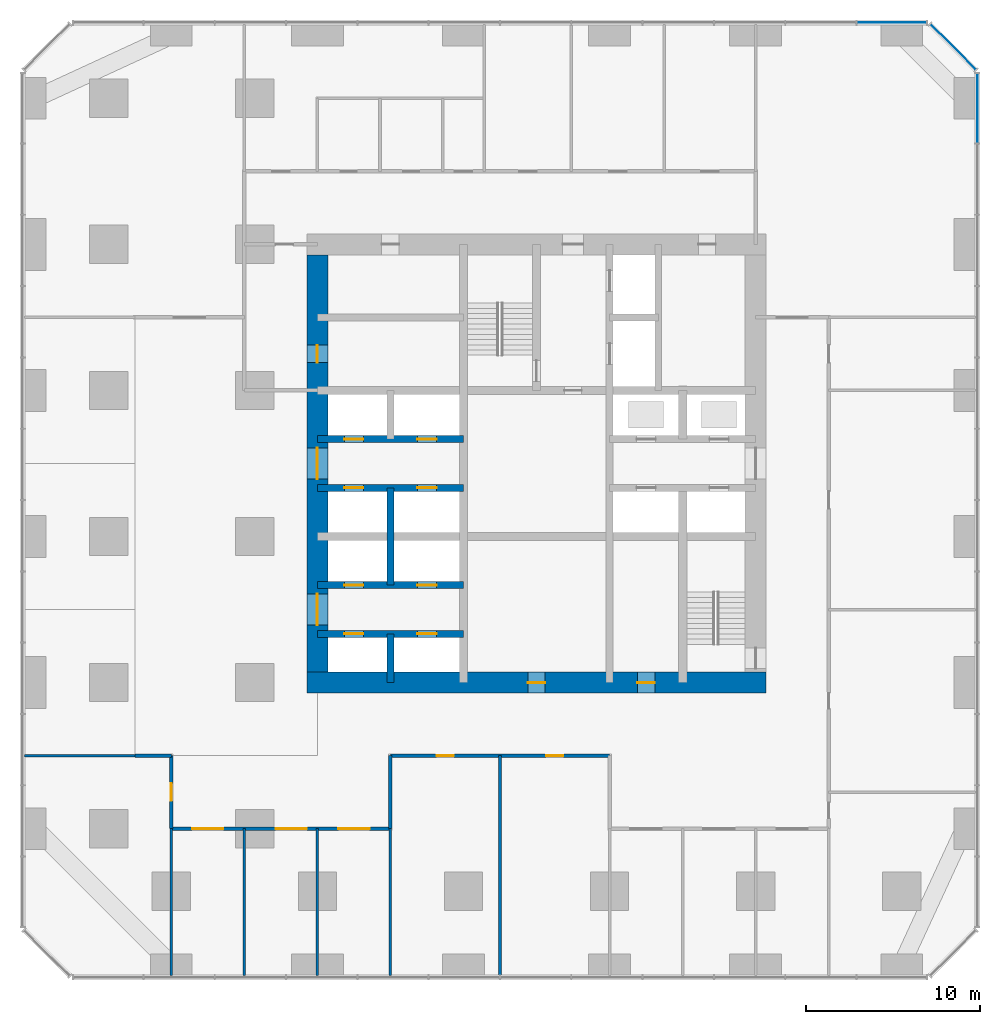
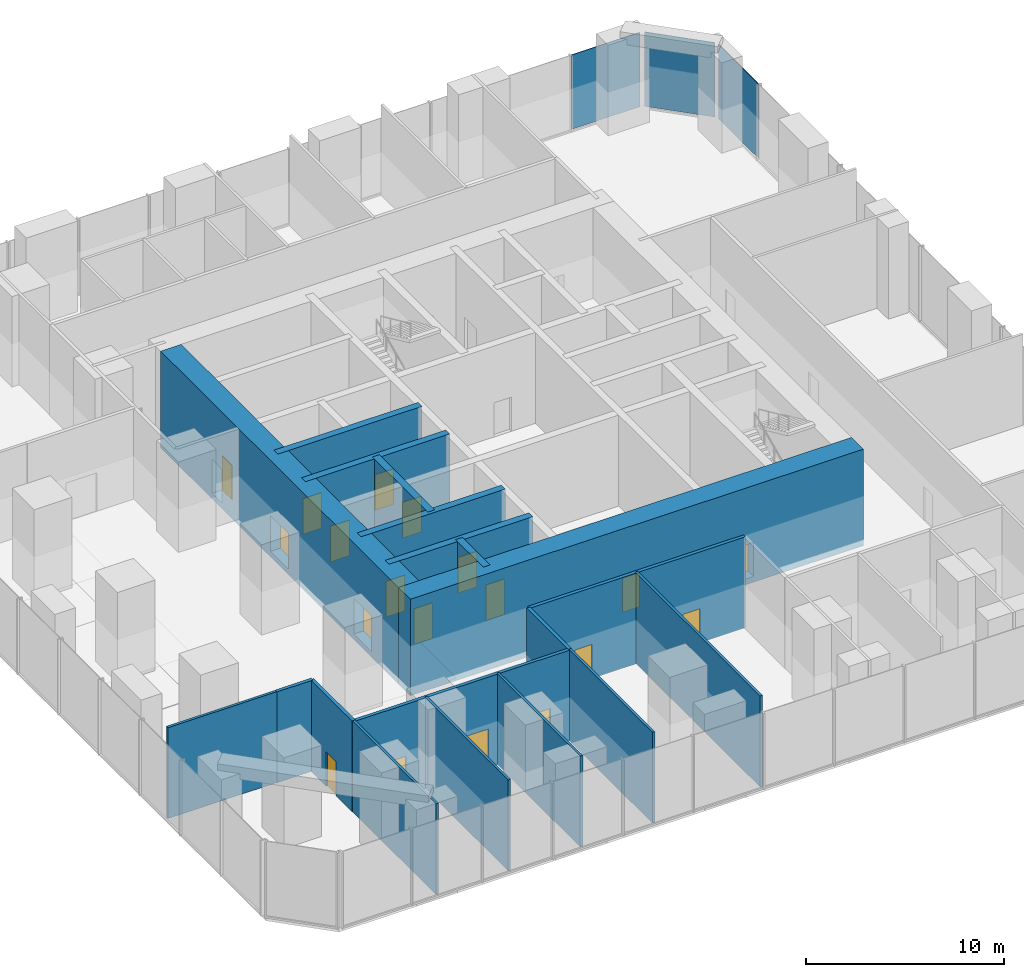
# One storey, part 7 of 13: 19 doors, 19 walls, 3 plates, 19 openings, 3 elements without a shape of their own.
"""IFC4 building model written with IfcOpenShell, lengths in metres."""

from ifc_helpers import new_model, si_unit, direction, frame, frame_2d, origin, origin_2d, place, context, subcontext, project, spatial, rectangle, extrude, material, layer, layer_set, type_object, element, fill, aggregate, save


model = new_model("IFC4")

# Units and contexts
model_context = context("Model", 3, precision=1e-05, world=origin(), true_north=direction((0.0, 1.0)))
body_context = subcontext(model_context, "Body", "Model", "MODEL_VIEW")
ifc_project = project(units=[si_unit("LENGTHUNIT", "METRE"), si_unit("AREAUNIT", "SQUARE_METRE"), si_unit("VOLUMEUNIT", "CUBIC_METRE"), si_unit("PLANEANGLEUNIT", "RADIAN"), si_unit("MASSUNIT", "GRAM", prefix="KILO")], contexts=[model_context])

# Site, building, storey
site_placement = place(None, origin())
site = spatial("IfcSite", under=ifc_project, at=site_placement, CompositionType="ELEMENT")
building_placement = place(site_placement, origin())
building = spatial("IfcBuilding", under=site, at=building_placement, Name="Dunama Terrace Hotel", CompositionType="ELEMENT")
storey_placement = place(building_placement, frame((0.0, 0.0, 147.60009765625)))
storey = spatial("IfcBuildingStorey", under=building, at=storey_placement, Name="L38", CompositionType="ELEMENT", Elevation=147.60009765625)

# Curtain wall, plate
ifc_material_1 = material(Name="Aluminium curtain wall system", Category="aluminium")
curtain_wall_type = type_object("IfcCurtainWallType", Name="Sky lobby glazing CW-F", PredefinedType="NOTDEFINED", material=ifc_material_1)
curtain_wall_1_placement = place(storey_placement, origin())
curtain_wall_1 = element("IfcCurtainWall", 1, at=curtain_wall_1_placement, inside=storey, type_object=curtain_wall_type, Name="Sky lobby glazing CW-F L38", PredefinedType="NOTDEFINED")
ifc_material_2 = material(Name="Laminated glass", Category="glass")
ifc_layer_1 = layer(ifc_material_2, 0.0400390625)
ifc_layer_set_1 = layer_set([ifc_layer_1], Name="CWF clear glass panel")
plate_type_1 = type_object("IfcPlateType", Name="CWF clear glass panel", PredefinedType="CURTAIN_PANEL", material=ifc_layer_set_1)
plate_1_placement = place(storey_placement, frame((54.75, 49.830078125, 0.099853515625), z_axis=(0.0, 0.0, 1.0), x_axis=(0.0, 1.0, 0.0)))
plate_1 = element("IfcPlate", 2, at=plate_1_placement, type_object=plate_type_1, Name="CWF clear glass panel", PredefinedType="CURTAIN_PANEL", context=body_context, shape_type="SweptSolid", body=[
    extrude(rectangle(XDim=3.97998046875, YDim=0.0400390625, at=origin_2d()), origin(), (0.0, 0.0, 1.0), 4.5791015625),
])
aggregate(curtain_wall_1, [plate_1])

curtain_wall_2_placement = place(storey_placement, origin())
curtain_wall_2 = element("IfcCurtainWall", 3, at=curtain_wall_2_placement, inside=storey, type_object=curtain_wall_type, Name="Sky lobby glazing CW-F L38", PredefinedType="NOTDEFINED")
ifc_material_3 = material(Name="Laminated glass", Category="glass")
ifc_layer_2 = layer(ifc_material_3, 0.0400390625)
ifc_layer_set_2 = layer_set([ifc_layer_2], Name="CWF operable glass panel")
plate_type_2 = type_object("IfcPlateType", Name="CWF operable glass panel", PredefinedType="CURTAIN_PANEL", material=ifc_layer_set_2)
plate_2_placement = place(storey_placement, frame((53.35595703125, 53.35595703125, 0.099853515625), z_axis=(0.0, 0.0, 1.0), x_axis=(-0.707106781187, 0.707106781187, 0.0)))
plate_2 = element("IfcPlate", 4, at=plate_2_placement, type_object=plate_type_2, Name="CWF operable glass panel", PredefinedType="CURTAIN_PANEL", context=body_context, shape_type="SweptSolid", body=[
    extrude(rectangle(XDim=3.658447265625, YDim=0.0400390625, at=origin_2d()), origin(), (0.0, 0.0, 1.0), 4.5791015625),
])
aggregate(curtain_wall_2, [plate_2])

curtain_wall_3_placement = place(storey_placement, origin())
curtain_wall_3 = element("IfcCurtainWall", 5, at=curtain_wall_3_placement, inside=storey, type_object=curtain_wall_type, Name="Sky lobby glazing CW-F L38", PredefinedType="NOTDEFINED")
plate_3_placement = place(storey_placement, frame((49.830078125, 54.75, 0.099853515625), z_axis=(0.0, 0.0, 1.0), x_axis=(-1.0, 0.0, 0.0)))
plate_3 = element("IfcPlate", 6, at=plate_3_placement, type_object=plate_type_2, Name="CWF operable glass panel", PredefinedType="CURTAIN_PANEL", context=body_context, shape_type="SweptSolid", body=[
    extrude(rectangle(XDim=3.97998046875, YDim=0.0400390625, at=origin_2d()), origin(), (0.0, 0.0, 1.0), 4.5791015625),
])
aggregate(curtain_wall_3, [plate_3])

# Walls
ifc_material_4 = material(Name="Concrete C50/60", Category="concrete")
ifc_layer_3 = layer(ifc_material_4, 0.39990234375)
ifc_layer_set_3 = layer_set([ifc_layer_3], Name="Core inner wall 400")
wall_type_1 = type_object("IfcWallType", Name="Core inner wall 400", PredefinedType="SHEAR", material=ifc_layer_set_3)
wall_1_placement = place(storey_placement, frame((21.0, 16.800048828125, -0.35009765625), z_axis=(0.0, 0.0, 1.0), x_axis=(0.0, 1.0, 0.0)))
element("IfcWall", 7, at=wall_1_placement, inside=storey, type_object=wall_type_1, Name="Core inner wall 400 L38", PredefinedType="SHEAR", context=body_context, shape_type="SweptSolid", body=[
    extrude(rectangle(XDim=2.800048828125, YDim=0.39990234375, at=frame_2d((1.39990234375, 0.0))), origin(), (0.0, 0.0, 1.0), 5.949951171875),
])
wall_2_placement = place(storey_placement, frame((21.0, 22.39990234375, -0.35009765625), z_axis=(0.0, 0.0, 1.0), x_axis=(0.0, 1.0, 0.0)))
element("IfcWall", 8, at=wall_2_placement, inside=storey, type_object=wall_type_1, Name="Core inner wall 400 L38", PredefinedType="SHEAR", context=body_context, shape_type="SweptSolid", body=[
    extrude(rectangle(XDim=5.60009765625, YDim=0.39990234375, at=frame_2d((2.800048828125, 0.0))), origin(), (0.0, 0.0, 1.0), 5.949951171875),
])

# Wall, openings, doors
wall_3_placement = place(storey_placement, frame((16.800048828125, 19.60009765625, -0.35009765625), z_axis=(0.0, 0.0, 1.0), x_axis=(1.0, 0.0, 0.0)))
wall_3 = element("IfcWall", 9, at=wall_3_placement, inside=storey, type_object=wall_type_1, Name="Core inner wall 400 L38", PredefinedType="SHEAR", context=body_context, shape_type="SweptSolid", body=[
    extrude(rectangle(XDim=8.39990234375, YDim=0.39990234375, at=frame_2d((4.199951171875, 0.0))), origin(), (0.0, 0.0, 1.0), 5.949951171875),
])
opening_1_placement = place(wall_3_placement, frame((1.550048828125, 0.0, 0.35009765625)))
opening_1 = element("IfcOpeningElement", 10, at=opening_1_placement, cuts=wall_3, Name="Opening L38-005", PredefinedType="OPENING", context=body_context, shape_type="SweptSolid", body=[
    extrude(rectangle(XDim=1.10009765625, YDim=2.199951171875, at=frame_2d((0.550048828125, 1.10009765625))), frame((0.0, 0.2099609375, 0.0), z_axis=(0.0, -1.0, 0.0), x_axis=(1.0, 0.0, 0.0)), (0.0, 0.0, 1.0), 0.419921875),
])
opening_2_placement = place(wall_3_placement, frame((5.75, 0.0, 0.35009765625)))
opening_2 = element("IfcOpeningElement", 11, at=opening_2_placement, cuts=wall_3, Name="Opening L38-006", PredefinedType="OPENING", context=body_context, shape_type="SweptSolid", body=[
    extrude(rectangle(XDim=1.10009765625, YDim=2.199951171875, at=frame_2d((0.550048828125, 1.10009765625))), frame((0.0, 0.2099609375, 0.0), z_axis=(0.0, -1.0, 0.0), x_axis=(1.0, 0.0, 0.0)), (0.0, 0.0, 1.0), 0.419921875),
])
ifc_material_5 = material(Name="Stainless steel lift door", Category="steel")
door_type_1 = type_object("IfcDoorType", Name="Lift landing door 1100", OperationType="DOUBLE_DOOR_SLIDING", PredefinedType="DOOR", material=ifc_material_5)
door_1_placement = place(opening_1_placement, origin())
door_1 = element("IfcDoor", 12, at=door_1_placement, inside=storey, type_object=door_type_1, Name="Landing door PS1 L38-005, type LD1", OperationType="DOUBLE_DOOR_SLIDING", OverallHeight=2.199951171875, OverallWidth=1.10009765625, PredefinedType="DOOR", context=body_context, shape_type="SweptSolid", body=[
    extrude(rectangle(XDim=1.10009765625, YDim=2.199951171875, at=frame_2d((0.550048828125, 1.10009765625))), frame((0.0, 0.02490234375, 0.0), z_axis=(0.0, -1.0, 0.0), x_axis=(1.0, 0.0, 0.0)), (0.0, 0.0, 1.0), 0.050048828125),
])
fill(opening_1, door_1)
door_2_placement = place(opening_2_placement, origin())
door_2 = element("IfcDoor", 13, at=door_2_placement, inside=storey, type_object=door_type_1, Name="Landing door PS2 L38-006, type LD1", OperationType="DOUBLE_DOOR_SLIDING", OverallHeight=2.199951171875, OverallWidth=1.10009765625, PredefinedType="DOOR", context=body_context, shape_type="SweptSolid", body=[
    extrude(rectangle(XDim=1.10009765625, YDim=2.199951171875, at=frame_2d((0.550048828125, 1.10009765625))), frame((0.0, 0.02490234375, 0.0), z_axis=(0.0, -1.0, 0.0), x_axis=(1.0, 0.0, 0.0)), (0.0, 0.0, 1.0), 0.050048828125),
])
fill(opening_2, door_2)

wall_4_placement = place(storey_placement, frame((16.800048828125, 22.39990234375, -0.35009765625), z_axis=(0.0, 0.0, 1.0), x_axis=(1.0, 0.0, 0.0)))
wall_4 = element("IfcWall", 14, at=wall_4_placement, inside=storey, type_object=wall_type_1, Name="Core inner wall 400 L38", PredefinedType="SHEAR", context=body_context, shape_type="SweptSolid", body=[
    extrude(rectangle(XDim=8.39990234375, YDim=0.39990234375, at=frame_2d((4.199951171875, 0.0))), origin(), (0.0, 0.0, 1.0), 5.949951171875),
])
opening_3_placement = place(wall_4_placement, frame((1.550048828125, 0.0, 0.35009765625)))
opening_3 = element("IfcOpeningElement", 15, at=opening_3_placement, cuts=wall_4, Name="Opening L38-007", PredefinedType="OPENING", context=body_context, shape_type="SweptSolid", body=[
    extrude(rectangle(XDim=1.10009765625, YDim=2.199951171875, at=frame_2d((0.550048828125, 1.10009765625))), frame((0.0, 0.2099609375, 0.0), z_axis=(0.0, -1.0, 0.0), x_axis=(1.0, 0.0, 0.0)), (0.0, 0.0, 1.0), 0.419921875),
])
opening_4_placement = place(wall_4_placement, frame((5.75, 0.0, 0.35009765625)))
opening_4 = element("IfcOpeningElement", 16, at=opening_4_placement, cuts=wall_4, Name="Opening L38-008", PredefinedType="OPENING", context=body_context, shape_type="SweptSolid", body=[
    extrude(rectangle(XDim=1.10009765625, YDim=2.199951171875, at=frame_2d((0.550048828125, 1.10009765625))), frame((0.0, 0.2099609375, 0.0), z_axis=(0.0, -1.0, 0.0), x_axis=(1.0, 0.0, 0.0)), (0.0, 0.0, 1.0), 0.419921875),
])
door_3_placement = place(opening_3_placement, origin())
door_3 = element("IfcDoor", 17, at=door_3_placement, inside=storey, type_object=door_type_1, Name="Landing door PS3 L38-007, type LD1", OperationType="DOUBLE_DOOR_SLIDING", OverallHeight=2.199951171875, OverallWidth=1.10009765625, PredefinedType="DOOR", context=body_context, shape_type="SweptSolid", body=[
    extrude(rectangle(XDim=1.10009765625, YDim=2.199951171875, at=frame_2d((0.550048828125, 1.10009765625))), frame((0.0, 0.02490234375, 0.0), z_axis=(0.0, -1.0, 0.0), x_axis=(1.0, 0.0, 0.0)), (0.0, 0.0, 1.0), 0.050048828125),
])
fill(opening_3, door_3)
door_4_placement = place(opening_4_placement, origin())
door_4 = element("IfcDoor", 18, at=door_4_placement, inside=storey, type_object=door_type_1, Name="Landing door PS4 L38-008, type LD1", OperationType="DOUBLE_DOOR_SLIDING", OverallHeight=2.199951171875, OverallWidth=1.10009765625, PredefinedType="DOOR", context=body_context, shape_type="SweptSolid", body=[
    extrude(rectangle(XDim=1.10009765625, YDim=2.199951171875, at=frame_2d((0.550048828125, 1.10009765625))), frame((0.0, 0.02490234375, 0.0), z_axis=(0.0, -1.0, 0.0), x_axis=(1.0, 0.0, 0.0)), (0.0, 0.0, 1.0), 0.050048828125),
])
fill(opening_4, door_4)

wall_5_placement = place(storey_placement, frame((16.800048828125, 28.0, -0.35009765625), z_axis=(0.0, 0.0, 1.0), x_axis=(1.0, 0.0, 0.0)))
wall_5 = element("IfcWall", 19, at=wall_5_placement, inside=storey, type_object=wall_type_1, Name="Core inner wall 400 L38", PredefinedType="SHEAR", context=body_context, shape_type="SweptSolid", body=[
    extrude(rectangle(XDim=8.39990234375, YDim=0.39990234375, at=frame_2d((4.199951171875, 0.0))), origin(), (0.0, 0.0, 1.0), 5.949951171875),
])
opening_5_placement = place(wall_5_placement, frame((1.550048828125, 0.0, 0.35009765625)))
opening_5 = element("IfcOpeningElement", 20, at=opening_5_placement, cuts=wall_5, Name="Opening L38-009", PredefinedType="OPENING", context=body_context, shape_type="SweptSolid", body=[
    extrude(rectangle(XDim=1.10009765625, YDim=2.199951171875, at=frame_2d((0.550048828125, 1.10009765625))), frame((0.0, 0.2099609375, 0.0), z_axis=(0.0, -1.0, 0.0), x_axis=(1.0, 0.0, 0.0)), (0.0, 0.0, 1.0), 0.419921875),
])
opening_6_placement = place(wall_5_placement, frame((5.75, 0.0, 0.35009765625)))
opening_6 = element("IfcOpeningElement", 21, at=opening_6_placement, cuts=wall_5, Name="Opening L38-010", PredefinedType="OPENING", context=body_context, shape_type="SweptSolid", body=[
    extrude(rectangle(XDim=1.10009765625, YDim=2.199951171875, at=frame_2d((0.550048828125, 1.10009765625))), frame((0.0, 0.2099609375, 0.0), z_axis=(0.0, -1.0, 0.0), x_axis=(1.0, 0.0, 0.0)), (0.0, 0.0, 1.0), 0.419921875),
])
door_5_placement = place(opening_5_placement, origin())
door_5 = element("IfcDoor", 22, at=door_5_placement, inside=storey, type_object=door_type_1, Name="Landing door PC1 L38-009, type LD1", OperationType="DOUBLE_DOOR_SLIDING", OverallHeight=2.199951171875, OverallWidth=1.10009765625, PredefinedType="DOOR", context=body_context, shape_type="SweptSolid", body=[
    extrude(rectangle(XDim=1.10009765625, YDim=2.199951171875, at=frame_2d((0.550048828125, 1.10009765625))), frame((0.0, 0.02490234375, 0.0), z_axis=(0.0, -1.0, 0.0), x_axis=(1.0, 0.0, 0.0)), (0.0, 0.0, 1.0), 0.050048828125),
])
fill(opening_5, door_5)
door_6_placement = place(opening_6_placement, origin())
door_6 = element("IfcDoor", 23, at=door_6_placement, inside=storey, type_object=door_type_1, Name="Landing door PC2 L38-010, type LD1", OperationType="DOUBLE_DOOR_SLIDING", OverallHeight=2.199951171875, OverallWidth=1.10009765625, PredefinedType="DOOR", context=body_context, shape_type="SweptSolid", body=[
    extrude(rectangle(XDim=1.10009765625, YDim=2.199951171875, at=frame_2d((0.550048828125, 1.10009765625))), frame((0.0, 0.02490234375, 0.0), z_axis=(0.0, -1.0, 0.0), x_axis=(1.0, 0.0, 0.0)), (0.0, 0.0, 1.0), 0.050048828125),
])
fill(opening_6, door_6)

wall_6_placement = place(storey_placement, frame((16.800048828125, 30.800048828125, -0.35009765625), z_axis=(0.0, 0.0, 1.0), x_axis=(1.0, 0.0, 0.0)))
wall_6 = element("IfcWall", 24, at=wall_6_placement, inside=storey, type_object=wall_type_1, Name="Core inner wall 400 L38", PredefinedType="SHEAR", context=body_context, shape_type="SweptSolid", body=[
    extrude(rectangle(XDim=8.39990234375, YDim=0.39990234375, at=frame_2d((4.199951171875, 0.0))), origin(), (0.0, 0.0, 1.0), 5.949951171875),
])
opening_7_placement = place(wall_6_placement, frame((1.550048828125, 0.0, 0.35009765625)))
opening_7 = element("IfcOpeningElement", 25, at=opening_7_placement, cuts=wall_6, Name="Opening L38-011", PredefinedType="OPENING", context=body_context, shape_type="SweptSolid", body=[
    extrude(rectangle(XDim=1.10009765625, YDim=2.199951171875, at=frame_2d((0.550048828125, 1.10009765625))), frame((0.0, 0.2099609375, 0.0), z_axis=(0.0, -1.0, 0.0), x_axis=(1.0, 0.0, 0.0)), (0.0, 0.0, 1.0), 0.419921875),
])
opening_8_placement = place(wall_6_placement, frame((5.75, 0.0, 0.35009765625)))
opening_8 = element("IfcOpeningElement", 26, at=opening_8_placement, cuts=wall_6, Name="Opening L38-012", PredefinedType="OPENING", context=body_context, shape_type="SweptSolid", body=[
    extrude(rectangle(XDim=1.10009765625, YDim=2.199951171875, at=frame_2d((0.550048828125, 1.10009765625))), frame((0.0, 0.2099609375, 0.0), z_axis=(0.0, -1.0, 0.0), x_axis=(1.0, 0.0, 0.0)), (0.0, 0.0, 1.0), 0.419921875),
])
door_7_placement = place(opening_7_placement, origin())
door_7 = element("IfcDoor", 27, at=door_7_placement, inside=storey, type_object=door_type_1, Name="Landing door PC3 L38-011, type LD1", OperationType="DOUBLE_DOOR_SLIDING", OverallHeight=2.199951171875, OverallWidth=1.10009765625, PredefinedType="DOOR", context=body_context, shape_type="SweptSolid", body=[
    extrude(rectangle(XDim=1.10009765625, YDim=2.199951171875, at=frame_2d((0.550048828125, 1.10009765625))), frame((0.0, 0.02490234375, 0.0), z_axis=(0.0, -1.0, 0.0), x_axis=(1.0, 0.0, 0.0)), (0.0, 0.0, 1.0), 0.050048828125),
])
fill(opening_7, door_7)
door_8_placement = place(opening_8_placement, origin())
door_8 = element("IfcDoor", 28, at=door_8_placement, inside=storey, type_object=door_type_1, Name="Landing door PC4 L38-012, type LD1", OperationType="DOUBLE_DOOR_SLIDING", OverallHeight=2.199951171875, OverallWidth=1.10009765625, PredefinedType="DOOR", context=body_context, shape_type="SweptSolid", body=[
    extrude(rectangle(XDim=1.10009765625, YDim=2.199951171875, at=frame_2d((0.550048828125, 1.10009765625))), frame((0.0, 0.02490234375, 0.0), z_axis=(0.0, -1.0, 0.0), x_axis=(1.0, 0.0, 0.0)), (0.0, 0.0, 1.0), 0.050048828125),
])
fill(opening_8, door_8)

ifc_material_6 = material(Name="Concrete C60/75", Category="concrete")
ifc_layer_4 = layer(ifc_material_6, 1.199951171875)
ifc_layer_set_4 = layer_set([ifc_layer_4], Name="Core wall 1200")
wall_type_2 = type_object("IfcWallType", Name="Core wall 1200", PredefinedType="SHEAR", material=ifc_layer_set_4)
wall_7_placement = place(storey_placement, frame((16.199951171875, 16.800048828125, -0.35009765625), z_axis=(0.0, 0.0, 1.0), x_axis=(1.0, 0.0, 0.0)))
wall_7 = element("IfcWall", 29, at=wall_7_placement, inside=storey, type_object=wall_type_2, Name="Core wall south L38", PredefinedType="SHEAR", context=body_context, shape_type="SweptSolid", body=[
    extrude(rectangle(XDim=26.400146484375, YDim=1.199951171875, at=frame_2d((13.2001953125, 0.0))), origin(), (0.0, 0.0, 1.0), 5.949951171875),
])
opening_9_placement = place(wall_7_placement, frame((12.699951171875, 0.0, 0.35009765625)))
opening_9 = element("IfcOpeningElement", 30, at=opening_9_placement, cuts=wall_7, Name="Opening L38-025", PredefinedType="OPENING", context=body_context, shape_type="SweptSolid", body=[
    extrude(rectangle(XDim=1.0, YDim=2.10009765625, at=frame_2d((0.5, 1.050048828125))), frame((0.0, 0.60986328125, 0.0), z_axis=(0.0, -1.0, 0.0), x_axis=(1.0, 0.0, 0.0)), (0.0, 0.0, 1.0), 1.219970703125),
])
opening_10_placement = place(wall_7_placement, frame((19.0, 0.0, 0.35009765625)))
opening_10 = element("IfcOpeningElement", 31, at=opening_10_placement, cuts=wall_7, Name="Opening L38-026", PredefinedType="OPENING", context=body_context, shape_type="SweptSolid", body=[
    extrude(rectangle(XDim=1.0, YDim=2.10009765625, at=frame_2d((0.5, 1.050048828125))), frame((0.0, 0.60986328125, 0.0), z_axis=(0.0, -1.0, 0.0), x_axis=(1.0, 0.0, 0.0)), (0.0, 0.0, 1.0), 1.219970703125),
])
ifc_material_7 = material(Name="Timber door with steel frame", Category="steel")
door_type_2 = type_object("IfcDoorType", Name="Service door 1000", OperationType="SINGLE_SWING_LEFT", PredefinedType="DOOR", material=ifc_material_7)
door_9_placement = place(opening_9_placement, origin())
door_9 = element("IfcDoor", 32, at=door_9_placement, inside=storey, type_object=door_type_2, Name="Door to floor air handling room L38-025, type D7", OperationType="SINGLE_SWING_LEFT", OverallHeight=2.10009765625, OverallWidth=1.0, PredefinedType="DOOR", context=body_context, shape_type="SweptSolid", body=[
    extrude(rectangle(XDim=1.0, YDim=2.10009765625, at=frame_2d((0.5, 1.050048828125))), frame((0.0, 0.02490234375, 0.0), z_axis=(0.0, -1.0, 0.0), x_axis=(1.0, 0.0, 0.0)), (0.0, 0.0, 1.0), 0.050048828125),
])
fill(opening_9, door_9)
door_10_placement = place(opening_10_placement, origin())
door_10 = element("IfcDoor", 33, at=door_10_placement, inside=storey, type_object=door_type_2, Name="Door to water riser room L38-026, type D7", OperationType="SINGLE_SWING_RIGHT", OverallHeight=2.10009765625, OverallWidth=1.0, PredefinedType="DOOR", context=body_context, shape_type="SweptSolid", body=[
    extrude(rectangle(XDim=1.0, YDim=2.10009765625, at=frame_2d((0.5, 1.050048828125))), frame((0.0, 0.02490234375, 0.0), z_axis=(0.0, -1.0, 0.0), x_axis=(1.0, 0.0, 0.0)), (0.0, 0.0, 1.0), 0.050048828125),
])
fill(opening_10, door_10)

wall_8_placement = place(storey_placement, frame((16.800048828125, 41.39990234375, -0.35009765625), z_axis=(0.0, 0.0, 1.0), x_axis=(0.0, -1.0, 0.0)))
wall_8 = element("IfcWall", 34, at=wall_8_placement, inside=storey, type_object=wall_type_2, Name="Core wall west L38", PredefinedType="SHEAR", context=body_context, shape_type="SweptSolid", body=[
    extrude(rectangle(XDim=24.0, YDim=1.199951171875, at=frame_2d((12.0, 0.0))), origin(), (0.0, 0.0, 1.0), 5.949951171875),
])
opening_11_placement = place(wall_8_placement, frame((11.10009765625, 0.0, 0.35009765625)))
opening_11 = element("IfcOpeningElement", 35, at=opening_11_placement, cuts=wall_8, Name="Opening L38-017", PredefinedType="OPENING", context=body_context, shape_type="SweptSolid", body=[
    extrude(rectangle(XDim=1.800048828125, YDim=2.199951171875, at=frame_2d((0.89990234375, 1.10009765625))), frame((0.0, 0.60986328125, 0.0), z_axis=(0.0, -1.0, 0.0), x_axis=(1.0, 0.0, 0.0)), (0.0, 0.0, 1.0), 1.219970703125),
])
opening_12_placement = place(wall_8_placement, frame((19.5, 0.0, 0.35009765625)))
opening_12 = element("IfcOpeningElement", 36, at=opening_12_placement, cuts=wall_8, Name="Opening L38-018", PredefinedType="OPENING", context=body_context, shape_type="SweptSolid", body=[
    extrude(rectangle(XDim=1.800048828125, YDim=2.199951171875, at=frame_2d((0.89990234375, 1.10009765625))), frame((0.0, 0.60986328125, 0.0), z_axis=(0.0, -1.0, 0.0), x_axis=(1.0, 0.0, 0.0)), (0.0, 0.0, 1.0), 1.219970703125),
])
opening_13_placement = place(wall_8_placement, frame((5.199951171875, 0.0, 0.35009765625)))
opening_13 = element("IfcOpeningElement", 37, at=opening_13_placement, cuts=wall_8, Name="Opening L38-019", PredefinedType="OPENING", context=body_context, shape_type="SweptSolid", body=[
    extrude(rectangle(XDim=1.0, YDim=2.10009765625, at=frame_2d((0.5, 1.050048828125))), frame((0.0, 0.60986328125, 0.0), z_axis=(0.0, -1.0, 0.0), x_axis=(1.0, 0.0, 0.0)), (0.0, 0.0, 1.0), 1.219970703125),
])
ifc_material_8 = material(Name="Timber door with steel frame", Category="steel")
door_type_3 = type_object("IfcDoorType", Name="Lift lobby double door 1800", OperationType="DOUBLE_DOOR_DOUBLE_SWING", PredefinedType="DOOR", material=ifc_material_8)
door_11_placement = place(opening_11_placement, origin())
door_11 = element("IfcDoor", 38, at=door_11_placement, inside=storey, type_object=door_type_3, Name="Door to lift lobby L38-017, type D3", OperationType="DOUBLE_DOOR_DOUBLE_SWING", OverallHeight=2.199951171875, OverallWidth=1.800048828125, PredefinedType="DOOR", context=body_context, shape_type="SweptSolid", body=[
    extrude(rectangle(XDim=1.800048828125, YDim=2.199951171875, at=frame_2d((0.89990234375, 1.10009765625))), frame((0.0, 0.02490234375, 0.0), z_axis=(0.0, -1.0, 0.0), x_axis=(1.0, 0.0, 0.0)), (0.0, 0.0, 1.0), 0.050048828125),
])
fill(opening_11, door_11)
door_12_placement = place(opening_12_placement, origin())
door_12 = element("IfcDoor", 39, at=door_12_placement, inside=storey, type_object=door_type_3, Name="Door to lift lobby L38-018, type D3", OperationType="DOUBLE_DOOR_DOUBLE_SWING", OverallHeight=2.199951171875, OverallWidth=1.800048828125, PredefinedType="DOOR", context=body_context, shape_type="SweptSolid", body=[
    extrude(rectangle(XDim=1.800048828125, YDim=2.199951171875, at=frame_2d((0.89990234375, 1.10009765625))), frame((0.0, 0.02490234375, 0.0), z_axis=(0.0, -1.0, 0.0), x_axis=(1.0, 0.0, 0.0)), (0.0, 0.0, 1.0), 0.050048828125),
])
fill(opening_12, door_12)
door_13_placement = place(opening_13_placement, origin())
door_13 = element("IfcDoor", 40, at=door_13_placement, inside=storey, type_object=door_type_2, Name="Door to electrical room L38-019, type D7", OperationType="SINGLE_SWING_RIGHT", OverallHeight=2.10009765625, OverallWidth=1.0, PredefinedType="DOOR", context=body_context, shape_type="SweptSolid", body=[
    extrude(rectangle(XDim=1.0, YDim=2.10009765625, at=frame_2d((0.5, 1.050048828125))), frame((0.0, 0.02490234375, 0.0), z_axis=(0.0, -1.0, 0.0), x_axis=(1.0, 0.0, 0.0)), (0.0, 0.0, 1.0), 0.050048828125),
])
fill(opening_13, door_13)

# Wall, opening, door
ifc_material_9 = material(Name="Concrete blockwork", Category="masonry")
ifc_layer_5 = layer(ifc_material_9, 0.199951171875)
ifc_layer_set_5 = layer_set([ifc_layer_5], Name="Corridor partition 200")
wall_type_3 = type_object("IfcWallType", Name="Corridor partition 200", PredefinedType="PARTITIONING", material=ifc_layer_set_5)
wall_9_placement = place(storey_placement, frame((8.39990234375, 8.39990234375, 0.0), z_axis=(0.0, 0.0, 1.0), x_axis=(0.0, 1.0, 0.0)))
wall_9 = element("IfcWall", 41, at=wall_9_placement, inside=storey, type_object=wall_type_3, Name="Corridor partition 200 L38", PredefinedType="PARTITIONING", context=body_context, shape_type="SweptSolid", body=[
    extrude(rectangle(XDim=4.2001953125, YDim=0.199951171875, at=frame_2d((2.10009765625, 0.0))), origin(), (0.0, 0.0, 1.0), 5.599853515625),
])
opening_14_placement = place(wall_9_placement, frame((1.60009765625, 0.0, 0.0)))
opening_14 = element("IfcOpeningElement", 42, at=opening_14_placement, cuts=wall_9, Name="Opening L38-028", PredefinedType="OPENING", context=body_context, shape_type="SweptSolid", body=[
    extrude(rectangle(XDim=1.0, YDim=2.10009765625, at=frame_2d((0.5, 1.050048828125))), frame((0.0, 0.10986328125, 0.0), z_axis=(0.0, -1.0, 0.0), x_axis=(1.0, 0.0, 0.0)), (0.0, 0.0, 1.0), 0.219970703125),
])
door_14_placement = place(opening_14_placement, origin())
door_14 = element("IfcDoor", 43, at=door_14_placement, inside=storey, type_object=door_type_2, Name="Door to spa manager office L38-028, type D7", OperationType="SINGLE_SWING_LEFT", OverallHeight=2.10009765625, OverallWidth=1.0, PredefinedType="DOOR", context=body_context, shape_type="SweptSolid", body=[
    extrude(rectangle(XDim=1.0, YDim=2.10009765625, at=frame_2d((0.5, 1.050048828125))), frame((0.0, 0.02490234375, 0.0), z_axis=(0.0, -1.0, 0.0), x_axis=(1.0, 0.0, 0.0)), (0.0, 0.0, 1.0), 0.050048828125),
])
fill(opening_14, door_14)

# Wall
wall_10_placement = place(storey_placement, frame((21.0, 8.39990234375, 0.0), z_axis=(0.0, 0.0, 1.0), x_axis=(0.0, 1.0, 0.0)))
element("IfcWall", 44, at=wall_10_placement, inside=storey, type_object=wall_type_3, Name="Corridor partition 200 L38", PredefinedType="PARTITIONING", context=body_context, shape_type="SweptSolid", body=[
    extrude(rectangle(XDim=4.2001953125, YDim=0.199951171875, at=frame_2d((2.10009765625, 0.0))), origin(), (0.0, 0.0, 1.0), 5.599853515625),
])

# Wall, openings, doors
wall_11_placement = place(storey_placement, frame((8.39990234375, 8.39990234375, 0.0), z_axis=(0.0, 0.0, 1.0), x_axis=(1.0, 0.0, 0.0)))
wall_11 = element("IfcWall", 45, at=wall_11_placement, inside=storey, type_object=wall_type_3, Name="Corridor partition 200 L38", PredefinedType="PARTITIONING", context=body_context, shape_type="SweptSolid", body=[
    extrude(rectangle(XDim=12.60009765625, YDim=0.199951171875, at=frame_2d((6.300048828125, 0.0))), origin(), (0.0, 0.0, 1.0), 5.599853515625),
])
opening_15_placement = place(wall_11_placement, frame((1.199951171875, 0.0, 0.0)))
opening_15 = element("IfcOpeningElement", 46, at=opening_15_placement, cuts=wall_11, Name="Opening L38-029", PredefinedType="OPENING", context=body_context, shape_type="SweptSolid", body=[
    extrude(rectangle(XDim=1.800048828125, YDim=2.39990234375, at=frame_2d((0.89990234375, 1.199951171875))), frame((0.0, 0.10986328125, 0.0), z_axis=(0.0, -1.0, 0.0), x_axis=(1.0, 0.0, 0.0)), (0.0, 0.0, 1.0), 0.219970703125),
])
opening_16_placement = place(wall_11_placement, frame((6.0, 0.0, 0.0)))
opening_16 = element("IfcOpeningElement", 47, at=opening_16_placement, cuts=wall_11, Name="Opening L38-030", PredefinedType="OPENING", context=body_context, shape_type="SweptSolid", body=[
    extrude(rectangle(XDim=1.800048828125, YDim=2.39990234375, at=frame_2d((0.89990234375, 1.199951171875))), frame((0.0, 0.10986328125, 0.0), z_axis=(0.0, -1.0, 0.0), x_axis=(1.0, 0.0, 0.0)), (0.0, 0.0, 1.0), 0.219970703125),
])
opening_17_placement = place(wall_11_placement, frame((9.60009765625, 0.0, 0.0)))
opening_17 = element("IfcOpeningElement", 48, at=opening_17_placement, cuts=wall_11, Name="Opening L38-031", PredefinedType="OPENING", context=body_context, shape_type="SweptSolid", body=[
    extrude(rectangle(XDim=1.800048828125, YDim=2.39990234375, at=frame_2d((0.89990234375, 1.199951171875))), frame((0.0, 0.10986328125, 0.0), z_axis=(0.0, -1.0, 0.0), x_axis=(1.0, 0.0, 0.0)), (0.0, 0.0, 1.0), 0.219970703125),
])
ifc_material_10 = material(Name="Aluminium-framed glazed door", Category="aluminium")
door_type_4 = type_object("IfcDoorType", Name="Glazed double door 1800", OperationType="DOUBLE_DOOR_DOUBLE_SWING", PredefinedType="DOOR", material=ifc_material_10)
door_15_placement = place(opening_15_placement, origin())
door_15 = element("IfcDoor", 49, at=door_15_placement, inside=storey, type_object=door_type_4, Name="Door to spa treatment room 1 L38-029, type D8", OperationType="DOUBLE_DOOR_DOUBLE_SWING", OverallHeight=2.39990234375, OverallWidth=1.800048828125, PredefinedType="DOOR", context=body_context, shape_type="SweptSolid", body=[
    extrude(rectangle(XDim=1.800048828125, YDim=2.39990234375, at=frame_2d((0.89990234375, 1.199951171875))), frame((0.0, 0.02490234375, 0.0), z_axis=(0.0, -1.0, 0.0), x_axis=(1.0, 0.0, 0.0)), (0.0, 0.0, 1.0), 0.050048828125),
])
fill(opening_15, door_15)
door_16_placement = place(opening_16_placement, origin())
door_16 = element("IfcDoor", 50, at=door_16_placement, inside=storey, type_object=door_type_4, Name="Door to spa treatment room 2 L38-030, type D8", OperationType="DOUBLE_DOOR_DOUBLE_SWING", OverallHeight=2.39990234375, OverallWidth=1.800048828125, PredefinedType="DOOR", context=body_context, shape_type="SweptSolid", body=[
    extrude(rectangle(XDim=1.800048828125, YDim=2.39990234375, at=frame_2d((0.89990234375, 1.199951171875))), frame((0.0, 0.02490234375, 0.0), z_axis=(0.0, -1.0, 0.0), x_axis=(1.0, 0.0, 0.0)), (0.0, 0.0, 1.0), 0.050048828125),
])
fill(opening_16, door_16)
door_17_placement = place(opening_17_placement, origin())
door_17 = element("IfcDoor", 51, at=door_17_placement, inside=storey, type_object=door_type_4, Name="Door to spa treatment room 3 L38-031, type D8", OperationType="DOUBLE_DOOR_DOUBLE_SWING", OverallHeight=2.39990234375, OverallWidth=1.800048828125, PredefinedType="DOOR", context=body_context, shape_type="SweptSolid", body=[
    extrude(rectangle(XDim=1.800048828125, YDim=2.39990234375, at=frame_2d((0.89990234375, 1.199951171875))), frame((0.0, 0.02490234375, 0.0), z_axis=(0.0, -1.0, 0.0), x_axis=(1.0, 0.0, 0.0)), (0.0, 0.0, 1.0), 0.050048828125),
])
fill(opening_17, door_17)

# Wall
wall_12_placement = place(storey_placement, frame((6.300048828125, 12.60009765625, 0.0), z_axis=(0.0, 0.0, 1.0), x_axis=(1.0, 0.0, 0.0)))
element("IfcWall", 52, at=wall_12_placement, inside=storey, type_object=wall_type_3, Name="Corridor partition 200 L38", PredefinedType="PARTITIONING", context=body_context, shape_type="SweptSolid", body=[
    extrude(rectangle(XDim=2.099853515625, YDim=0.199951171875, at=frame_2d((1.0498046875, 0.0))), origin(), (0.0, 0.0, 1.0), 5.599853515625),
])

# Wall, openings, doors
wall_13_placement = place(storey_placement, frame((21.0, 12.60009765625, 0.0), z_axis=(0.0, 0.0, 1.0), x_axis=(1.0, 0.0, 0.0)))
wall_13 = element("IfcWall", 53, at=wall_13_placement, inside=storey, type_object=wall_type_3, Name="Corridor partition 200 L38", PredefinedType="PARTITIONING", context=body_context, shape_type="SweptSolid", body=[
    extrude(rectangle(XDim=12.60009765625, YDim=0.199951171875, at=frame_2d((6.300048828125, 0.0))), origin(), (0.0, 0.0, 1.0), 5.599853515625),
])
opening_18_placement = place(wall_13_placement, frame((2.64990234375, 0.0, 0.0)))
opening_18 = element("IfcOpeningElement", 54, at=opening_18_placement, cuts=wall_13, Name="Opening L38-035", PredefinedType="OPENING", context=body_context, shape_type="SweptSolid", body=[
    extrude(rectangle(XDim=1.0, YDim=2.10009765625, at=frame_2d((0.5, 1.050048828125))), frame((0.0, 0.10986328125, 0.0), z_axis=(0.0, -1.0, 0.0), x_axis=(1.0, 0.0, 0.0)), (0.0, 0.0, 1.0), 0.219970703125),
])
opening_19_placement = place(wall_13_placement, frame((8.949951171875, 0.0, 0.0)))
opening_19 = element("IfcOpeningElement", 55, at=opening_19_placement, cuts=wall_13, Name="Opening L38-036", PredefinedType="OPENING", context=body_context, shape_type="SweptSolid", body=[
    extrude(rectangle(XDim=1.0, YDim=2.10009765625, at=frame_2d((0.5, 1.050048828125))), frame((0.0, 0.10986328125, 0.0), z_axis=(0.0, -1.0, 0.0), x_axis=(1.0, 0.0, 0.0)), (0.0, 0.0, 1.0), 0.219970703125),
])
door_18_placement = place(opening_18_placement, frame((1.0, 0.0, 0.0), z_axis=(0.0, 0.0, 1.0), x_axis=(-1.0, 0.0, 0.0)))
door_18 = element("IfcDoor", 56, at=door_18_placement, inside=storey, type_object=door_type_2, Name="Door to hammam spa treatment room L38-035, type D7", OperationType="SINGLE_SWING_RIGHT", OverallHeight=2.10009765625, OverallWidth=1.0, PredefinedType="DOOR", context=body_context, shape_type="SweptSolid", body=[
    extrude(rectangle(XDim=1.0, YDim=2.10009765625, at=frame_2d((0.5, 1.050048828125))), frame((0.0, 0.025146484375, 0.0), z_axis=(0.0, -1.0, 0.0), x_axis=(1.0, 0.0, 0.0)), (0.0, 0.0, 1.0), 0.050048828125),
])
fill(opening_18, door_18)
door_19_placement = place(opening_19_placement, frame((1.0, 0.0, 0.0), z_axis=(0.0, 0.0, 1.0), x_axis=(-1.0, 0.0, 0.0)))
door_19 = element("IfcDoor", 57, at=door_19_placement, inside=storey, type_object=door_type_2, Name="Door to sauna and steam spa treatment room L38-036, type D7", OperationType="SINGLE_SWING_LEFT", OverallHeight=2.10009765625, OverallWidth=1.0, PredefinedType="DOOR", context=body_context, shape_type="SweptSolid", body=[
    extrude(rectangle(XDim=1.0, YDim=2.10009765625, at=frame_2d((0.5, 1.050048828125))), frame((0.0, 0.025146484375, 0.0), z_axis=(0.0, -1.0, 0.0), x_axis=(1.0, 0.0, 0.0)), (0.0, 0.0, 1.0), 0.050048828125),
])
fill(opening_19, door_19)

# Walls
ifc_material_11 = material(Name="Gypsum board partition", Category="masonry")
ifc_layer_6 = layer(ifc_material_11, 0.14990234375)
ifc_layer_set_6 = layer_set([ifc_layer_6], Name="Room partition 150")
wall_type_4 = type_object("IfcWallType", Name="Room partition 150", PredefinedType="PARTITIONING", material=ifc_layer_set_6)
for number, where, z_axis, x_axis, name in (
    (58, (8.39990234375, -0.0380859375, 0.0), (0.0, 0.0, 1.0), (0.0, 1.0, 0.0), "Room partition 150 L38"),
    (59, (12.60009765625, -0.0380859375, 0.0), (0.0, 0.0, 1.0), (0.0, 1.0, 0.0), "Room partition 150 L38"),
    (60, (16.800048828125, -0.0380859375, 0.0), (0.0, 0.0, 1.0), (0.0, 1.0, 0.0), "Room partition 150 L38"),
    (61, (21.0, -0.0380859375, 0.0), (0.0, 0.0, 1.0), (0.0, 1.0, 0.0), "Room partition 150 L38"),
):
    element("IfcWall", number, at=place(storey_placement, frame(where, z_axis=z_axis, x_axis=x_axis)), inside=storey, type_object=wall_type_4, Name=name, PredefinedType="PARTITIONING", context=body_context, shape_type="SweptSolid", body=[
        extrude(rectangle(XDim=8.43798828125, YDim=0.14990234375, at=frame_2d((4.218994140625, 0.0))), origin(), (0.0, 0.0, 1.0), 5.599853515625),
    ])
wall_14_placement = place(storey_placement, frame((27.300048828125, 0.0, 0.0), z_axis=(0.0, 0.0, 1.0), x_axis=(0.0, 1.0, 0.0)))
element("IfcWall", 62, at=wall_14_placement, inside=storey, type_object=wall_type_4, Name="Room partition 150 L38", PredefinedType="PARTITIONING", context=body_context, shape_type="SweptSolid", body=[
    extrude(rectangle(XDim=12.60009765625, YDim=0.14990234375, at=frame_2d((6.300048828125, 0.0))), origin(), (0.0, 0.0, 1.0), 5.599853515625),
])
wall_15_placement = place(storey_placement, frame((-0.0380859375, 12.60009765625, 0.0), z_axis=(0.0, 0.0, 1.0), x_axis=(1.0, 0.0, 0.0)))
element("IfcWall", 63, at=wall_15_placement, inside=storey, type_object=wall_type_4, Name="Room partition 150 L38", PredefinedType="PARTITIONING", context=body_context, shape_type="SweptSolid", body=[
    extrude(rectangle(XDim=6.338134765625, YDim=0.14990234375, at=frame_2d((3.1689453125, 0.0))), origin(), (0.0, 0.0, 1.0), 5.599853515625),
])

save(model, "model.ifc")
